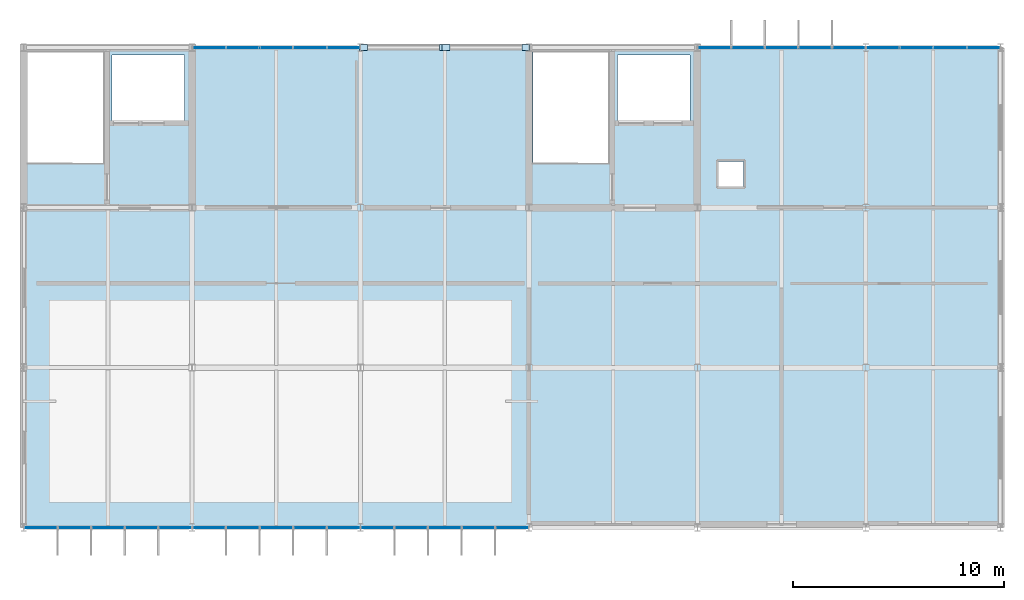
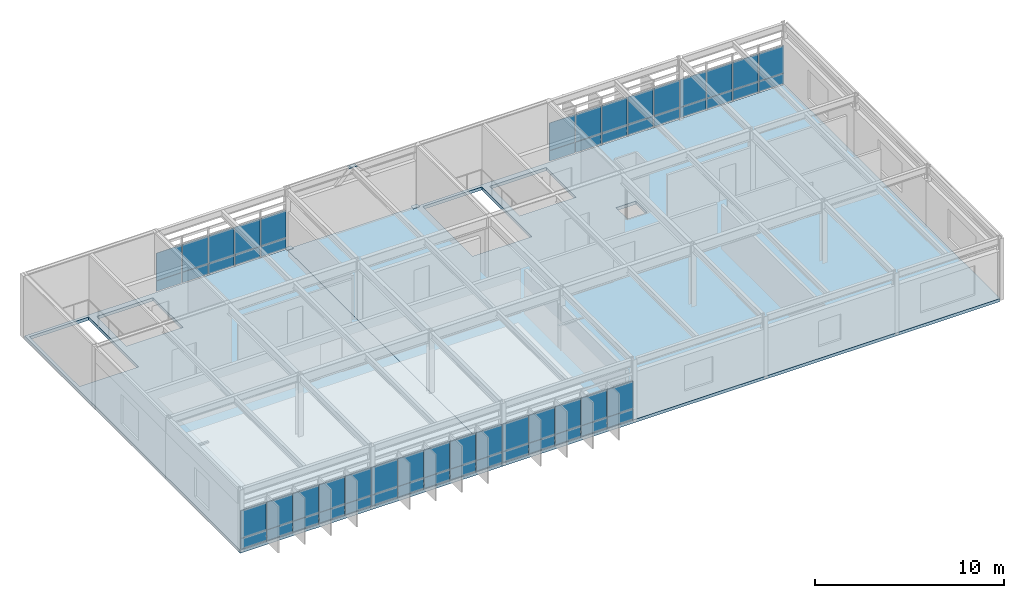
# One storey, part 13 of 17: 62 plates, 2 slabs, 6 elements without a shape of their own.
"""IFC4 building model written with IfcOpenShell, lengths in metres."""

from ifc_helpers import new_model, si_unit, direction, frame, origin, origin_2d, place, context, subcontext, project, spatial, polyline, rectangle, outline, extrude, material, layer, layer_set, type_object, element, aggregate, save


model = new_model("IFC4")

# Units and contexts
model_context = context("Model", 3, precision=1e-05, world=origin(), true_north=direction((0.0, 1.0)))
body_context = subcontext(model_context, "Body", "Model", "MODEL_VIEW")
ifc_project = project(units=[si_unit("LENGTHUNIT", "METRE"), si_unit("AREAUNIT", "SQUARE_METRE"), si_unit("VOLUMEUNIT", "CUBIC_METRE"), si_unit("PLANEANGLEUNIT", "RADIAN"), si_unit("MASSUNIT", "GRAM", prefix="KILO")], contexts=[model_context])

# Site, building, storey
site_placement = place(None, origin())
site = spatial("IfcSite", under=ifc_project, at=site_placement, CompositionType="ELEMENT")
building_placement = place(site_placement, origin())
building = spatial("IfcBuilding", under=site, at=building_placement, Name="Zulena Civic Courthouse", CompositionType="ELEMENT")
storey_placement = place(building_placement, frame((0.0, 0.0, 42.0)))
storey = spatial("IfcBuildingStorey", under=building, at=storey_placement, Name="L09", CompositionType="ELEMENT", Elevation=42.0)

# Curtain wall, plates
ifc_material_1 = material(Name="Double-silver low-E laminated solar-control glass", Category="glass")
curtain_wall_type_1 = type_object("IfcCurtainWallType", Name="CW_7976x3090", PredefinedType="USERDEFINED", material=ifc_material_1)
curtain_wall_1_placement = place(storey_placement, origin())
curtain_wall_1 = element("IfcCurtainWall", 1, at=curtain_wall_1_placement, inside=storey, type_object=curtain_wall_type_1, Name="cw:V2:L09:1:1", ObjectType="UNITISED CURTAIN WALL", PredefinedType="USERDEFINED")
ifc_material_2 = material(Name="Ceramic-fritted insulated spandrel glass", Category="glass")
ifc_layer_1 = layer(ifc_material_2, 0.0458984375)
ifc_layer_set_1 = layer_set([ifc_layer_1], Name="Ceramic-fritted insulated spandrel glass")
plate_type_1 = type_object("IfcPlateType", Name="CWPanel_Spandrel_46", PredefinedType="CURTAIN_PANEL", material=ifc_layer_set_1)
plate_1_placement = place(storey_placement, frame((28.8095703125, 22.800048828125, 0.070068359375), z_axis=(0.0, 0.0, 1.0), x_axis=(1.0, 0.0, 0.0)))
plate_1 = element("IfcPlate", 2, at=plate_1_placement, type_object=plate_type_1, Name="cw:V2:L09:1:1:panS:0", PredefinedType="CURTAIN_PANEL", context=body_context, shape_type="SweptSolid", body=[
    extrude(rectangle(XDim=1.544921875, YDim=0.0458984375, at=origin_2d()), origin(), (0.0, 0.0, 1.0), 0.669921875),
])
plate_2_placement = place(storey_placement, frame((30.40478515625, 22.800048828125, 0.070068359375), z_axis=(0.0, 0.0, 1.0), x_axis=(1.0, 0.0, 0.0)))
plate_2 = element("IfcPlate", 3, at=plate_2_placement, type_object=plate_type_1, Name="cw:V2:L09:1:1:panS:1", PredefinedType="CURTAIN_PANEL", context=body_context, shape_type="SweptSolid", body=[
    extrude(rectangle(XDim=1.544921875, YDim=0.0458984375, at=origin_2d()), origin(), (0.0, 0.0, 1.0), 0.669921875),
])
plate_3_placement = place(storey_placement, frame((32.0, 22.800048828125, 0.070068359375), z_axis=(0.0, 0.0, 1.0), x_axis=(1.0, 0.0, 0.0)))
plate_3 = element("IfcPlate", 4, at=plate_3_placement, type_object=plate_type_1, Name="cw:V2:L09:1:1:panS:2", PredefinedType="CURTAIN_PANEL", context=body_context, shape_type="SweptSolid", body=[
    extrude(rectangle(XDim=1.544921875, YDim=0.0458984375, at=origin_2d()), origin(), (0.0, 0.0, 1.0), 0.669921875),
])
plate_4_placement = place(storey_placement, frame((33.59521484375, 22.800048828125, 0.070068359375), z_axis=(0.0, 0.0, 1.0), x_axis=(1.0, 0.0, 0.0)))
plate_4 = element("IfcPlate", 5, at=plate_4_placement, type_object=plate_type_1, Name="cw:V2:L09:1:1:panS:3", PredefinedType="CURTAIN_PANEL", context=body_context, shape_type="SweptSolid", body=[
    extrude(rectangle(XDim=1.544921875, YDim=0.0458984375, at=origin_2d()), origin(), (0.0, 0.0, 1.0), 0.669921875),
])
plate_5_placement = place(storey_placement, frame((35.1904296875, 22.800048828125, 0.070068359375), z_axis=(0.0, 0.0, 1.0), x_axis=(1.0, 0.0, 0.0)))
plate_5 = element("IfcPlate", 6, at=plate_5_placement, type_object=plate_type_1, Name="cw:V2:L09:1:1:panS:4", PredefinedType="CURTAIN_PANEL", context=body_context, shape_type="SweptSolid", body=[
    extrude(rectangle(XDim=1.544921875, YDim=0.0458984375, at=origin_2d()), origin(), (0.0, 0.0, 1.0), 0.669921875),
])

curtain_wall_2_placement = place(storey_placement, origin())
curtain_wall_2 = element("IfcCurtainWall", 7, at=curtain_wall_2_placement, inside=storey, type_object=curtain_wall_type_1, Name="cw:V2:L09:1:4", ObjectType="UNITISED CURTAIN WALL", PredefinedType="USERDEFINED")
plate_6_placement = place(storey_placement, frame((52.8095703125, 22.800048828125, 0.070068359375), z_axis=(0.0, 0.0, 1.0), x_axis=(1.0, 0.0, 0.0)))
plate_6 = element("IfcPlate", 8, at=plate_6_placement, type_object=plate_type_1, Name="cw:V2:L09:1:4:panS:0", PredefinedType="CURTAIN_PANEL", context=body_context, shape_type="SweptSolid", body=[
    extrude(rectangle(XDim=1.544921875, YDim=0.0458984375, at=origin_2d()), origin(), (0.0, 0.0, 1.0), 0.669921875),
])
plate_7_placement = place(storey_placement, frame((54.40478515625, 22.800048828125, 0.070068359375), z_axis=(0.0, 0.0, 1.0), x_axis=(1.0, 0.0, 0.0)))
plate_7 = element("IfcPlate", 9, at=plate_7_placement, type_object=plate_type_1, Name="cw:V2:L09:1:4:panS:1", PredefinedType="CURTAIN_PANEL", context=body_context, shape_type="SweptSolid", body=[
    extrude(rectangle(XDim=1.544921875, YDim=0.0458984375, at=origin_2d()), origin(), (0.0, 0.0, 1.0), 0.669921875),
])
plate_8_placement = place(storey_placement, frame((56.0, 22.800048828125, 0.070068359375), z_axis=(0.0, 0.0, 1.0), x_axis=(1.0, 0.0, 0.0)))
plate_8 = element("IfcPlate", 10, at=plate_8_placement, type_object=plate_type_1, Name="cw:V2:L09:1:4:panS:2", PredefinedType="CURTAIN_PANEL", context=body_context, shape_type="SweptSolid", body=[
    extrude(rectangle(XDim=1.544921875, YDim=0.0458984375, at=origin_2d()), origin(), (0.0, 0.0, 1.0), 0.669921875),
])
plate_9_placement = place(storey_placement, frame((57.59521484375, 22.800048828125, 0.070068359375), z_axis=(0.0, 0.0, 1.0), x_axis=(1.0, 0.0, 0.0)))
plate_9 = element("IfcPlate", 11, at=plate_9_placement, type_object=plate_type_1, Name="cw:V2:L09:1:4:panS:3", PredefinedType="CURTAIN_PANEL", context=body_context, shape_type="SweptSolid", body=[
    extrude(rectangle(XDim=1.544921875, YDim=0.0458984375, at=origin_2d()), origin(), (0.0, 0.0, 1.0), 0.669921875),
])
plate_10_placement = place(storey_placement, frame((59.1904296875, 22.800048828125, 0.070068359375), z_axis=(0.0, 0.0, 1.0), x_axis=(1.0, 0.0, 0.0)))
plate_10 = element("IfcPlate", 12, at=plate_10_placement, type_object=plate_type_1, Name="cw:V2:L09:1:4:panS:4", PredefinedType="CURTAIN_PANEL", context=body_context, shape_type="SweptSolid", body=[
    extrude(rectangle(XDim=1.544921875, YDim=0.0458984375, at=origin_2d()), origin(), (0.0, 0.0, 1.0), 0.669921875),
])

curtain_wall_type_2 = type_object("IfcCurtainWallType", Name="CW_6376x3090", PredefinedType="USERDEFINED", material=ifc_material_1)
curtain_wall_3_placement = place(storey_placement, origin())
curtain_wall_3 = element("IfcCurtainWall", 13, at=curtain_wall_3_placement, inside=storey, type_object=curtain_wall_type_2, Name="cw:V2:L09:1:5", ObjectType="UNITISED CURTAIN WALL", PredefinedType="USERDEFINED")
plate_11_placement = place(storey_placement, frame((60.80908203125, 22.800048828125, 0.070068359375), z_axis=(0.0, 0.0, 1.0), x_axis=(1.0, 0.0, 0.0)))
plate_11 = element("IfcPlate", 14, at=plate_11_placement, type_object=plate_type_1, Name="cw:V2:L09:1:5:panS:0", PredefinedType="CURTAIN_PANEL", context=body_context, shape_type="SweptSolid", body=[
    extrude(rectangle(XDim=1.5439453125, YDim=0.0458984375, at=origin_2d()), origin(), (0.0, 0.0, 1.0), 0.669921875),
])
plate_12_placement = place(storey_placement, frame((62.403076171875, 22.800048828125, 0.070068359375), z_axis=(0.0, 0.0, 1.0), x_axis=(1.0, 0.0, 0.0)))
plate_12 = element("IfcPlate", 15, at=plate_12_placement, type_object=plate_type_1, Name="cw:V2:L09:1:5:panS:1", PredefinedType="CURTAIN_PANEL", context=body_context, shape_type="SweptSolid", body=[
    extrude(rectangle(XDim=1.5439453125, YDim=0.0458984375, at=origin_2d()), origin(), (0.0, 0.0, 1.0), 0.669921875),
])
plate_13_placement = place(storey_placement, frame((63.9970703125, 22.800048828125, 0.070068359375), z_axis=(0.0, 0.0, 1.0), x_axis=(1.0, 0.0, 0.0)))
plate_13 = element("IfcPlate", 16, at=plate_13_placement, type_object=plate_type_1, Name="cw:V2:L09:1:5:panS:2", PredefinedType="CURTAIN_PANEL", context=body_context, shape_type="SweptSolid", body=[
    extrude(rectangle(XDim=1.5439453125, YDim=0.0458984375, at=origin_2d()), origin(), (0.0, 0.0, 1.0), 0.669921875),
])
plate_14_placement = place(storey_placement, frame((65.591064453125, 22.800048828125, 0.070068359375), z_axis=(0.0, 0.0, 1.0), x_axis=(1.0, 0.0, 0.0)))
plate_14 = element("IfcPlate", 17, at=plate_14_placement, type_object=plate_type_1, Name="cw:V2:L09:1:5:panS:3", PredefinedType="CURTAIN_PANEL", context=body_context, shape_type="SweptSolid", body=[
    extrude(rectangle(XDim=1.5439453125, YDim=0.0458984375, at=origin_2d()), origin(), (0.0, 0.0, 1.0), 0.669921875),
])

curtain_wall_4_placement = place(storey_placement, origin())
curtain_wall_4 = element("IfcCurtainWall", 18, at=curtain_wall_4_placement, inside=storey, type_object=curtain_wall_type_1, Name="cw:V2:L09:3:3", ObjectType="UNITISED CURTAIN WALL", PredefinedType="USERDEFINED")
plate_15_placement = place(storey_placement, frame((43.1904296875, 0.0, 0.070068359375), z_axis=(0.0, 0.0, 1.0), x_axis=(-1.0, 0.0, 0.0)))
plate_15 = element("IfcPlate", 19, at=plate_15_placement, type_object=plate_type_1, Name="cw:V2:L09:3:3:panS:0", PredefinedType="CURTAIN_PANEL", context=body_context, shape_type="SweptSolid", body=[
    extrude(rectangle(XDim=1.544921875, YDim=0.0458984375, at=origin_2d()), origin(), (0.0, 0.0, 1.0), 0.669921875),
])
plate_16_placement = place(storey_placement, frame((41.59521484375, 0.0, 0.070068359375), z_axis=(0.0, 0.0, 1.0), x_axis=(-1.0, 0.0, 0.0)))
plate_16 = element("IfcPlate", 20, at=plate_16_placement, type_object=plate_type_1, Name="cw:V2:L09:3:3:panS:1", PredefinedType="CURTAIN_PANEL", context=body_context, shape_type="SweptSolid", body=[
    extrude(rectangle(XDim=1.544921875, YDim=0.0458984375, at=origin_2d()), origin(), (0.0, 0.0, 1.0), 0.669921875),
])
plate_17_placement = place(storey_placement, frame((40.0, 0.0, 0.070068359375), z_axis=(0.0, 0.0, 1.0), x_axis=(-1.0, 0.0, 0.0)))
plate_17 = element("IfcPlate", 21, at=plate_17_placement, type_object=plate_type_1, Name="cw:V2:L09:3:3:panS:2", PredefinedType="CURTAIN_PANEL", context=body_context, shape_type="SweptSolid", body=[
    extrude(rectangle(XDim=1.544921875, YDim=0.0458984375, at=origin_2d()), origin(), (0.0, 0.0, 1.0), 0.669921875),
])
plate_18_placement = place(storey_placement, frame((38.40478515625, 0.0, 0.070068359375), z_axis=(0.0, 0.0, 1.0), x_axis=(-1.0, 0.0, 0.0)))
plate_18 = element("IfcPlate", 22, at=plate_18_placement, type_object=plate_type_1, Name="cw:V2:L09:3:3:panS:3", PredefinedType="CURTAIN_PANEL", context=body_context, shape_type="SweptSolid", body=[
    extrude(rectangle(XDim=1.544921875, YDim=0.0458984375, at=origin_2d()), origin(), (0.0, 0.0, 1.0), 0.669921875),
])
plate_19_placement = place(storey_placement, frame((36.8095703125, 0.0, 0.070068359375), z_axis=(0.0, 0.0, 1.0), x_axis=(-1.0, 0.0, 0.0)))
plate_19 = element("IfcPlate", 23, at=plate_19_placement, type_object=plate_type_1, Name="cw:V2:L09:3:3:panS:4", PredefinedType="CURTAIN_PANEL", context=body_context, shape_type="SweptSolid", body=[
    extrude(rectangle(XDim=1.544921875, YDim=0.0458984375, at=origin_2d()), origin(), (0.0, 0.0, 1.0), 0.669921875),
])

curtain_wall_5_placement = place(storey_placement, origin())
curtain_wall_5 = element("IfcCurtainWall", 24, at=curtain_wall_5_placement, inside=storey, type_object=curtain_wall_type_1, Name="cw:V2:L09:3:4", ObjectType="UNITISED CURTAIN WALL", PredefinedType="USERDEFINED")
plate_20_placement = place(storey_placement, frame((35.1904296875, 0.0, 0.070068359375), z_axis=(0.0, 0.0, 1.0), x_axis=(-1.0, 0.0, 0.0)))
plate_20 = element("IfcPlate", 25, at=plate_20_placement, type_object=plate_type_1, Name="cw:V2:L09:3:4:panS:0", PredefinedType="CURTAIN_PANEL", context=body_context, shape_type="SweptSolid", body=[
    extrude(rectangle(XDim=1.544921875, YDim=0.0458984375, at=origin_2d()), origin(), (0.0, 0.0, 1.0), 0.669921875),
])
plate_21_placement = place(storey_placement, frame((33.59521484375, 0.0, 0.070068359375), z_axis=(0.0, 0.0, 1.0), x_axis=(-1.0, 0.0, 0.0)))
plate_21 = element("IfcPlate", 26, at=plate_21_placement, type_object=plate_type_1, Name="cw:V2:L09:3:4:panS:1", PredefinedType="CURTAIN_PANEL", context=body_context, shape_type="SweptSolid", body=[
    extrude(rectangle(XDim=1.544921875, YDim=0.0458984375, at=origin_2d()), origin(), (0.0, 0.0, 1.0), 0.669921875),
])
plate_22_placement = place(storey_placement, frame((32.0, 0.0, 0.070068359375), z_axis=(0.0, 0.0, 1.0), x_axis=(-1.0, 0.0, 0.0)))
plate_22 = element("IfcPlate", 27, at=plate_22_placement, type_object=plate_type_1, Name="cw:V2:L09:3:4:panS:2", PredefinedType="CURTAIN_PANEL", context=body_context, shape_type="SweptSolid", body=[
    extrude(rectangle(XDim=1.544921875, YDim=0.0458984375, at=origin_2d()), origin(), (0.0, 0.0, 1.0), 0.669921875),
])
plate_23_placement = place(storey_placement, frame((30.40478515625, 0.0, 0.070068359375), z_axis=(0.0, 0.0, 1.0), x_axis=(-1.0, 0.0, 0.0)))
plate_23 = element("IfcPlate", 28, at=plate_23_placement, type_object=plate_type_1, Name="cw:V2:L09:3:4:panS:3", PredefinedType="CURTAIN_PANEL", context=body_context, shape_type="SweptSolid", body=[
    extrude(rectangle(XDim=1.544921875, YDim=0.0458984375, at=origin_2d()), origin(), (0.0, 0.0, 1.0), 0.669921875),
])
plate_24_placement = place(storey_placement, frame((28.8095703125, 0.0, 0.070068359375), z_axis=(0.0, 0.0, 1.0), x_axis=(-1.0, 0.0, 0.0)))
plate_24 = element("IfcPlate", 29, at=plate_24_placement, type_object=plate_type_1, Name="cw:V2:L09:3:4:panS:4", PredefinedType="CURTAIN_PANEL", context=body_context, shape_type="SweptSolid", body=[
    extrude(rectangle(XDim=1.544921875, YDim=0.0458984375, at=origin_2d()), origin(), (0.0, 0.0, 1.0), 0.669921875),
])

curtain_wall_6_placement = place(storey_placement, origin())
curtain_wall_6 = element("IfcCurtainWall", 30, at=curtain_wall_6_placement, inside=storey, type_object=curtain_wall_type_1, Name="cw:V2:L09:3:5", ObjectType="UNITISED CURTAIN WALL", PredefinedType="USERDEFINED")
plate_25_placement = place(storey_placement, frame((27.1904296875, 0.0, 0.070068359375), z_axis=(0.0, 0.0, 1.0), x_axis=(-1.0, 0.0, 0.0)))
plate_25 = element("IfcPlate", 31, at=plate_25_placement, type_object=plate_type_1, Name="cw:V2:L09:3:5:panS:0", PredefinedType="CURTAIN_PANEL", context=body_context, shape_type="SweptSolid", body=[
    extrude(rectangle(XDim=1.544921875, YDim=0.0458984375, at=origin_2d()), origin(), (0.0, 0.0, 1.0), 0.669921875),
])
plate_26_placement = place(storey_placement, frame((25.59521484375, 0.0, 0.070068359375), z_axis=(0.0, 0.0, 1.0), x_axis=(-1.0, 0.0, 0.0)))
plate_26 = element("IfcPlate", 32, at=plate_26_placement, type_object=plate_type_1, Name="cw:V2:L09:3:5:panS:1", PredefinedType="CURTAIN_PANEL", context=body_context, shape_type="SweptSolid", body=[
    extrude(rectangle(XDim=1.544921875, YDim=0.0458984375, at=origin_2d()), origin(), (0.0, 0.0, 1.0), 0.669921875),
])
plate_27_placement = place(storey_placement, frame((24.0, 0.0, 0.070068359375), z_axis=(0.0, 0.0, 1.0), x_axis=(-1.0, 0.0, 0.0)))
plate_27 = element("IfcPlate", 33, at=plate_27_placement, type_object=plate_type_1, Name="cw:V2:L09:3:5:panS:2", PredefinedType="CURTAIN_PANEL", context=body_context, shape_type="SweptSolid", body=[
    extrude(rectangle(XDim=1.544921875, YDim=0.0458984375, at=origin_2d()), origin(), (0.0, 0.0, 1.0), 0.669921875),
])
plate_28_placement = place(storey_placement, frame((22.40478515625, 0.0, 0.070068359375), z_axis=(0.0, 0.0, 1.0), x_axis=(-1.0, 0.0, 0.0)))
plate_28 = element("IfcPlate", 34, at=plate_28_placement, type_object=plate_type_1, Name="cw:V2:L09:3:5:panS:3", PredefinedType="CURTAIN_PANEL", context=body_context, shape_type="SweptSolid", body=[
    extrude(rectangle(XDim=1.544921875, YDim=0.0458984375, at=origin_2d()), origin(), (0.0, 0.0, 1.0), 0.669921875),
])
plate_29_placement = place(storey_placement, frame((20.8095703125, 0.0, 0.070068359375), z_axis=(0.0, 0.0, 1.0), x_axis=(-1.0, 0.0, 0.0)))
plate_29 = element("IfcPlate", 35, at=plate_29_placement, type_object=plate_type_1, Name="cw:V2:L09:3:5:panS:4", PredefinedType="CURTAIN_PANEL", context=body_context, shape_type="SweptSolid", body=[
    extrude(rectangle(XDim=1.544921875, YDim=0.0458984375, at=origin_2d()), origin(), (0.0, 0.0, 1.0), 0.669921875),
])

# Plate
ifc_layer_2 = layer(ifc_material_1, 0.035888671875)
ifc_layer_set_2 = layer_set([ifc_layer_2], Name="Double-silver low-E laminated solar-control glass")
plate_type_2 = type_object("IfcPlateType", Name="CWPanel_Vision_36", PredefinedType="CURTAIN_PANEL", material=ifc_layer_set_2)
plate_30_placement = place(storey_placement, frame((28.8095703125, 22.800048828125, 0.760009765625), z_axis=(0.0, 0.0, 1.0), x_axis=(1.0, 0.0, 0.0)))
plate_30 = element("IfcPlate", 36, at=plate_30_placement, type_object=plate_type_2, Name="cw:V2:L09:1:1:panV:0", PredefinedType="CURTAIN_PANEL", context=body_context, shape_type="SweptSolid", body=[
    extrude(rectangle(XDim=1.544921875, YDim=0.035888671875, at=origin_2d()), origin(), (0.0, 0.0, 1.0), 1.77001953125),
])

plate_31_placement = place(storey_placement, frame((30.40478515625, 22.800048828125, 0.760009765625), z_axis=(0.0, 0.0, 1.0), x_axis=(1.0, 0.0, 0.0)))
plate_31 = element("IfcPlate", 37, at=plate_31_placement, type_object=plate_type_2, Name="cw:V2:L09:1:1:panV:1", PredefinedType="CURTAIN_PANEL", context=body_context, shape_type="SweptSolid", body=[
    extrude(rectangle(XDim=1.544921875, YDim=0.035888671875, at=origin_2d()), origin(), (0.0, 0.0, 1.0), 1.77001953125),
])

plate_32_placement = place(storey_placement, frame((32.0, 22.800048828125, 0.760009765625), z_axis=(0.0, 0.0, 1.0), x_axis=(1.0, 0.0, 0.0)))
plate_32 = element("IfcPlate", 38, at=plate_32_placement, type_object=plate_type_2, Name="cw:V2:L09:1:1:panV:2", PredefinedType="CURTAIN_PANEL", context=body_context, shape_type="SweptSolid", body=[
    extrude(rectangle(XDim=1.544921875, YDim=0.035888671875, at=origin_2d()), origin(), (0.0, 0.0, 1.0), 1.77001953125),
])

plate_33_placement = place(storey_placement, frame((33.59521484375, 22.800048828125, 0.760009765625), z_axis=(0.0, 0.0, 1.0), x_axis=(1.0, 0.0, 0.0)))
plate_33 = element("IfcPlate", 39, at=plate_33_placement, type_object=plate_type_2, Name="cw:V2:L09:1:1:panV:3", PredefinedType="CURTAIN_PANEL", context=body_context, shape_type="SweptSolid", body=[
    extrude(rectangle(XDim=1.544921875, YDim=0.035888671875, at=origin_2d()), origin(), (0.0, 0.0, 1.0), 1.77001953125),
])

plate_34_placement = place(storey_placement, frame((35.1904296875, 22.800048828125, 0.760009765625), z_axis=(0.0, 0.0, 1.0), x_axis=(1.0, 0.0, 0.0)))
plate_34 = element("IfcPlate", 40, at=plate_34_placement, type_object=plate_type_2, Name="cw:V2:L09:1:1:panV:4", PredefinedType="CURTAIN_PANEL", context=body_context, shape_type="SweptSolid", body=[
    extrude(rectangle(XDim=1.544921875, YDim=0.035888671875, at=origin_2d()), origin(), (0.0, 0.0, 1.0), 1.77001953125),
])

aggregate(curtain_wall_1, [plate_30, plate_1, plate_31, plate_2, plate_32, plate_3, plate_33, plate_4, plate_34, plate_5])

plate_35_placement = place(storey_placement, frame((52.8095703125, 22.800048828125, 0.760009765625), z_axis=(0.0, 0.0, 1.0), x_axis=(1.0, 0.0, 0.0)))
plate_35 = element("IfcPlate", 41, at=plate_35_placement, type_object=plate_type_2, Name="cw:V2:L09:1:4:panV:0", PredefinedType="CURTAIN_PANEL", context=body_context, shape_type="SweptSolid", body=[
    extrude(rectangle(XDim=1.544921875, YDim=0.035888671875, at=origin_2d()), origin(), (0.0, 0.0, 1.0), 1.77001953125),
])

plate_36_placement = place(storey_placement, frame((54.40478515625, 22.800048828125, 0.760009765625), z_axis=(0.0, 0.0, 1.0), x_axis=(1.0, 0.0, 0.0)))
plate_36 = element("IfcPlate", 42, at=plate_36_placement, type_object=plate_type_2, Name="cw:V2:L09:1:4:panV:1", PredefinedType="CURTAIN_PANEL", context=body_context, shape_type="SweptSolid", body=[
    extrude(rectangle(XDim=1.544921875, YDim=0.035888671875, at=origin_2d()), origin(), (0.0, 0.0, 1.0), 1.77001953125),
])

plate_37_placement = place(storey_placement, frame((56.0, 22.800048828125, 0.760009765625), z_axis=(0.0, 0.0, 1.0), x_axis=(1.0, 0.0, 0.0)))
plate_37 = element("IfcPlate", 43, at=plate_37_placement, type_object=plate_type_2, Name="cw:V2:L09:1:4:panV:2", PredefinedType="CURTAIN_PANEL", context=body_context, shape_type="SweptSolid", body=[
    extrude(rectangle(XDim=1.544921875, YDim=0.035888671875, at=origin_2d()), origin(), (0.0, 0.0, 1.0), 1.77001953125),
])

plate_38_placement = place(storey_placement, frame((57.59521484375, 22.800048828125, 0.760009765625), z_axis=(0.0, 0.0, 1.0), x_axis=(1.0, 0.0, 0.0)))
plate_38 = element("IfcPlate", 44, at=plate_38_placement, type_object=plate_type_2, Name="cw:V2:L09:1:4:panV:3", PredefinedType="CURTAIN_PANEL", context=body_context, shape_type="SweptSolid", body=[
    extrude(rectangle(XDim=1.544921875, YDim=0.035888671875, at=origin_2d()), origin(), (0.0, 0.0, 1.0), 1.77001953125),
])

plate_39_placement = place(storey_placement, frame((59.1904296875, 22.800048828125, 0.760009765625), z_axis=(0.0, 0.0, 1.0), x_axis=(1.0, 0.0, 0.0)))
plate_39 = element("IfcPlate", 45, at=plate_39_placement, type_object=plate_type_2, Name="cw:V2:L09:1:4:panV:4", PredefinedType="CURTAIN_PANEL", context=body_context, shape_type="SweptSolid", body=[
    extrude(rectangle(XDim=1.544921875, YDim=0.035888671875, at=origin_2d()), origin(), (0.0, 0.0, 1.0), 1.77001953125),
])

aggregate(curtain_wall_2, [plate_35, plate_6, plate_36, plate_7, plate_37, plate_8, plate_38, plate_9, plate_39, plate_10])

plate_40_placement = place(storey_placement, frame((60.80908203125, 22.800048828125, 0.760009765625), z_axis=(0.0, 0.0, 1.0), x_axis=(1.0, 0.0, 0.0)))
plate_40 = element("IfcPlate", 46, at=plate_40_placement, type_object=plate_type_2, Name="cw:V2:L09:1:5:panV:0", PredefinedType="CURTAIN_PANEL", context=body_context, shape_type="SweptSolid", body=[
    extrude(rectangle(XDim=1.5439453125, YDim=0.035888671875, at=origin_2d()), origin(), (0.0, 0.0, 1.0), 1.77001953125),
])

plate_41_placement = place(storey_placement, frame((62.403076171875, 22.800048828125, 0.760009765625), z_axis=(0.0, 0.0, 1.0), x_axis=(1.0, 0.0, 0.0)))
plate_41 = element("IfcPlate", 47, at=plate_41_placement, type_object=plate_type_2, Name="cw:V2:L09:1:5:panV:1", PredefinedType="CURTAIN_PANEL", context=body_context, shape_type="SweptSolid", body=[
    extrude(rectangle(XDim=1.5439453125, YDim=0.035888671875, at=origin_2d()), origin(), (0.0, 0.0, 1.0), 1.77001953125),
])

plate_42_placement = place(storey_placement, frame((63.9970703125, 22.800048828125, 0.760009765625), z_axis=(0.0, 0.0, 1.0), x_axis=(1.0, 0.0, 0.0)))
plate_42 = element("IfcPlate", 48, at=plate_42_placement, type_object=plate_type_2, Name="cw:V2:L09:1:5:panV:2", PredefinedType="CURTAIN_PANEL", context=body_context, shape_type="SweptSolid", body=[
    extrude(rectangle(XDim=1.5439453125, YDim=0.035888671875, at=origin_2d()), origin(), (0.0, 0.0, 1.0), 1.77001953125),
])

plate_43_placement = place(storey_placement, frame((65.591064453125, 22.800048828125, 0.760009765625), z_axis=(0.0, 0.0, 1.0), x_axis=(1.0, 0.0, 0.0)))
plate_43 = element("IfcPlate", 49, at=plate_43_placement, type_object=plate_type_2, Name="cw:V2:L09:1:5:panV:3", PredefinedType="CURTAIN_PANEL", context=body_context, shape_type="SweptSolid", body=[
    extrude(rectangle(XDim=1.5439453125, YDim=0.035888671875, at=origin_2d()), origin(), (0.0, 0.0, 1.0), 1.77001953125),
])

aggregate(curtain_wall_3, [plate_40, plate_11, plate_41, plate_12, plate_42, plate_13, plate_43, plate_14])

plate_44_placement = place(storey_placement, frame((43.1904296875, 0.0, 0.760009765625), z_axis=(0.0, 0.0, 1.0), x_axis=(-1.0, 0.0, 0.0)))
plate_44 = element("IfcPlate", 50, at=plate_44_placement, type_object=plate_type_2, Name="cw:V2:L09:3:3:panV:0", PredefinedType="CURTAIN_PANEL", context=body_context, shape_type="SweptSolid", body=[
    extrude(rectangle(XDim=1.544921875, YDim=0.035888671875, at=origin_2d()), origin(), (0.0, 0.0, 1.0), 1.77001953125),
])

plate_45_placement = place(storey_placement, frame((41.59521484375, 0.0, 0.760009765625), z_axis=(0.0, 0.0, 1.0), x_axis=(-1.0, 0.0, 0.0)))
plate_45 = element("IfcPlate", 51, at=plate_45_placement, type_object=plate_type_2, Name="cw:V2:L09:3:3:panV:1", PredefinedType="CURTAIN_PANEL", context=body_context, shape_type="SweptSolid", body=[
    extrude(rectangle(XDim=1.544921875, YDim=0.035888671875, at=origin_2d()), origin(), (0.0, 0.0, 1.0), 1.77001953125),
])

plate_46_placement = place(storey_placement, frame((40.0, 0.0, 0.760009765625), z_axis=(0.0, 0.0, 1.0), x_axis=(-1.0, 0.0, 0.0)))
plate_46 = element("IfcPlate", 52, at=plate_46_placement, type_object=plate_type_2, Name="cw:V2:L09:3:3:panV:2", PredefinedType="CURTAIN_PANEL", context=body_context, shape_type="SweptSolid", body=[
    extrude(rectangle(XDim=1.544921875, YDim=0.035888671875, at=origin_2d()), origin(), (0.0, 0.0, 1.0), 1.77001953125),
])

plate_47_placement = place(storey_placement, frame((38.40478515625, 0.0, 0.760009765625), z_axis=(0.0, 0.0, 1.0), x_axis=(-1.0, 0.0, 0.0)))
plate_47 = element("IfcPlate", 53, at=plate_47_placement, type_object=plate_type_2, Name="cw:V2:L09:3:3:panV:3", PredefinedType="CURTAIN_PANEL", context=body_context, shape_type="SweptSolid", body=[
    extrude(rectangle(XDim=1.544921875, YDim=0.035888671875, at=origin_2d()), origin(), (0.0, 0.0, 1.0), 1.77001953125),
])

plate_48_placement = place(storey_placement, frame((36.8095703125, 0.0, 0.760009765625), z_axis=(0.0, 0.0, 1.0), x_axis=(-1.0, 0.0, 0.0)))
plate_48 = element("IfcPlate", 54, at=plate_48_placement, type_object=plate_type_2, Name="cw:V2:L09:3:3:panV:4", PredefinedType="CURTAIN_PANEL", context=body_context, shape_type="SweptSolid", body=[
    extrude(rectangle(XDim=1.544921875, YDim=0.035888671875, at=origin_2d()), origin(), (0.0, 0.0, 1.0), 1.77001953125),
])

aggregate(curtain_wall_4, [plate_44, plate_15, plate_45, plate_16, plate_46, plate_17, plate_47, plate_18, plate_48, plate_19])

plate_49_placement = place(storey_placement, frame((35.1904296875, 0.0, 0.760009765625), z_axis=(0.0, 0.0, 1.0), x_axis=(-1.0, 0.0, 0.0)))
plate_49 = element("IfcPlate", 55, at=plate_49_placement, type_object=plate_type_2, Name="cw:V2:L09:3:4:panV:0", PredefinedType="CURTAIN_PANEL", context=body_context, shape_type="SweptSolid", body=[
    extrude(rectangle(XDim=1.544921875, YDim=0.035888671875, at=origin_2d()), origin(), (0.0, 0.0, 1.0), 1.77001953125),
])

plate_50_placement = place(storey_placement, frame((33.59521484375, 0.0, 0.760009765625), z_axis=(0.0, 0.0, 1.0), x_axis=(-1.0, 0.0, 0.0)))
plate_50 = element("IfcPlate", 56, at=plate_50_placement, type_object=plate_type_2, Name="cw:V2:L09:3:4:panV:1", PredefinedType="CURTAIN_PANEL", context=body_context, shape_type="SweptSolid", body=[
    extrude(rectangle(XDim=1.544921875, YDim=0.035888671875, at=origin_2d()), origin(), (0.0, 0.0, 1.0), 1.77001953125),
])

plate_51_placement = place(storey_placement, frame((32.0, 0.0, 0.760009765625), z_axis=(0.0, 0.0, 1.0), x_axis=(-1.0, 0.0, 0.0)))
plate_51 = element("IfcPlate", 57, at=plate_51_placement, type_object=plate_type_2, Name="cw:V2:L09:3:4:panV:2", PredefinedType="CURTAIN_PANEL", context=body_context, shape_type="SweptSolid", body=[
    extrude(rectangle(XDim=1.544921875, YDim=0.035888671875, at=origin_2d()), origin(), (0.0, 0.0, 1.0), 1.77001953125),
])

plate_52_placement = place(storey_placement, frame((30.40478515625, 0.0, 0.760009765625), z_axis=(0.0, 0.0, 1.0), x_axis=(-1.0, 0.0, 0.0)))
plate_52 = element("IfcPlate", 58, at=plate_52_placement, type_object=plate_type_2, Name="cw:V2:L09:3:4:panV:3", PredefinedType="CURTAIN_PANEL", context=body_context, shape_type="SweptSolid", body=[
    extrude(rectangle(XDim=1.544921875, YDim=0.035888671875, at=origin_2d()), origin(), (0.0, 0.0, 1.0), 1.77001953125),
])

plate_53_placement = place(storey_placement, frame((28.8095703125, 0.0, 0.760009765625), z_axis=(0.0, 0.0, 1.0), x_axis=(-1.0, 0.0, 0.0)))
plate_53 = element("IfcPlate", 59, at=plate_53_placement, type_object=plate_type_2, Name="cw:V2:L09:3:4:panV:4", PredefinedType="CURTAIN_PANEL", context=body_context, shape_type="SweptSolid", body=[
    extrude(rectangle(XDim=1.544921875, YDim=0.035888671875, at=origin_2d()), origin(), (0.0, 0.0, 1.0), 1.77001953125),
])

aggregate(curtain_wall_5, [plate_49, plate_20, plate_50, plate_21, plate_51, plate_22, plate_52, plate_23, plate_53, plate_24])

plate_54_placement = place(storey_placement, frame((27.1904296875, 0.0, 0.760009765625), z_axis=(0.0, 0.0, 1.0), x_axis=(-1.0, 0.0, 0.0)))
plate_54 = element("IfcPlate", 60, at=plate_54_placement, type_object=plate_type_2, Name="cw:V2:L09:3:5:panV:0", PredefinedType="CURTAIN_PANEL", context=body_context, shape_type="SweptSolid", body=[
    extrude(rectangle(XDim=1.544921875, YDim=0.035888671875, at=origin_2d()), origin(), (0.0, 0.0, 1.0), 1.77001953125),
])

plate_55_placement = place(storey_placement, frame((25.59521484375, 0.0, 0.760009765625), z_axis=(0.0, 0.0, 1.0), x_axis=(-1.0, 0.0, 0.0)))
plate_55 = element("IfcPlate", 61, at=plate_55_placement, type_object=plate_type_2, Name="cw:V2:L09:3:5:panV:1", PredefinedType="CURTAIN_PANEL", context=body_context, shape_type="SweptSolid", body=[
    extrude(rectangle(XDim=1.544921875, YDim=0.035888671875, at=origin_2d()), origin(), (0.0, 0.0, 1.0), 1.77001953125),
])

plate_56_placement = place(storey_placement, frame((24.0, 0.0, 0.760009765625), z_axis=(0.0, 0.0, 1.0), x_axis=(-1.0, 0.0, 0.0)))
plate_56 = element("IfcPlate", 62, at=plate_56_placement, type_object=plate_type_2, Name="cw:V2:L09:3:5:panV:2", PredefinedType="CURTAIN_PANEL", context=body_context, shape_type="SweptSolid", body=[
    extrude(rectangle(XDim=1.544921875, YDim=0.035888671875, at=origin_2d()), origin(), (0.0, 0.0, 1.0), 1.77001953125),
])

plate_57_placement = place(storey_placement, frame((22.40478515625, 0.0, 0.760009765625), z_axis=(0.0, 0.0, 1.0), x_axis=(-1.0, 0.0, 0.0)))
plate_57 = element("IfcPlate", 63, at=plate_57_placement, type_object=plate_type_2, Name="cw:V2:L09:3:5:panV:3", PredefinedType="CURTAIN_PANEL", context=body_context, shape_type="SweptSolid", body=[
    extrude(rectangle(XDim=1.544921875, YDim=0.035888671875, at=origin_2d()), origin(), (0.0, 0.0, 1.0), 1.77001953125),
])

plate_58_placement = place(storey_placement, frame((20.8095703125, 0.0, 0.760009765625), z_axis=(0.0, 0.0, 1.0), x_axis=(-1.0, 0.0, 0.0)))
plate_58 = element("IfcPlate", 64, at=plate_58_placement, type_object=plate_type_2, Name="cw:V2:L09:3:5:panV:4", PredefinedType="CURTAIN_PANEL", context=body_context, shape_type="SweptSolid", body=[
    extrude(rectangle(XDim=1.544921875, YDim=0.035888671875, at=origin_2d()), origin(), (0.0, 0.0, 1.0), 1.77001953125),
])

aggregate(curtain_wall_6, [plate_54, plate_25, plate_55, plate_26, plate_56, plate_27, plate_57, plate_28, plate_58, plate_29])

# Slabs
ifc_material_3 = material(Name="Concrete C35/45", Category="concrete")
ifc_layer_3 = layer(ifc_material_3, 0.199951171875)
ifc_layer_set_3 = layer_set([ifc_layer_3], Name="Concrete C35/45")
slab_type = type_object("IfcSlabType", Name="FloorSlab_200", PredefinedType="FLOOR", material=ifc_layer_set_3)
slab_1_placement = place(storey_placement, frame((0.0, 0.0, -0.199951171875)))
element("IfcSlab", 65, at=slab_1_placement, inside=storey, type_object=slab_type, Name="slab:V2:L09_1", PredefinedType="FLOOR", context=body_context, shape_type="SweptSolid", body=[
    extrude(outline(polyline([(36.0, 22.800048828125), (36.0, 0.0), (20.0, 0.0), (20.0, 22.800048828125), (36.0, 22.800048828125)]), holes=[polyline([(23.81005859375, 22.610107421875), (20.18994140625, 22.610107421875), (20.18994140625, 17.320068359375), (23.81005859375, 17.320068359375), (23.81005859375, 22.610107421875)]), polyline([(27.64990234375, 19.300048828125), (27.64990234375, 22.449951171875), (24.199951171875, 22.449951171875), (24.199951171875, 19.300048828125), (27.64990234375, 19.300048828125)])]), origin(), (0.0, 0.0, 1.0), 0.199951171875),
])
slab_2_placement = place(storey_placement, frame((0.0, 0.0, -0.199951171875)))
element("IfcSlab", 66, at=slab_2_placement, inside=storey, type_object=slab_type, Name="slab:V2:L09_2", PredefinedType="FLOOR", context=body_context, shape_type="SweptSolid", body=[
    extrude(outline(polyline([(66.39990234375, 22.800048828125), (66.39990234375, 0.0), (36.0, 0.0), (36.0, 22.800048828125), (66.39990234375, 22.800048828125)]), holes=[polyline([(44.18994140625, 17.320068359375), (47.81005859375, 17.320068359375), (47.81005859375, 22.610107421875), (44.18994140625, 22.610107421875), (44.18994140625, 17.320068359375)]), polyline([(48.199951171875, 22.449951171875), (48.199951171875, 19.300048828125), (51.64990234375, 19.300048828125), (51.64990234375, 22.449951171875), (48.199951171875, 22.449951171875)]), polyline([(54.199951171875, 17.39990234375), (53.0, 17.39990234375), (53.0, 16.199951171875), (54.199951171875, 16.199951171875), (54.199951171875, 17.39990234375)])]), origin(), (0.0, 0.0, 1.0), 0.199951171875),
])

# Plates
ifc_material_4 = material(Name="Steel ASTM A572 Grade 50", Category="steel")
ifc_layer_4 = layer(ifc_material_4, 0.02197265625)
ifc_layer_set_4 = layer_set([ifc_layer_4], Name="Steel ASTM A572 Grade 50")
plate_type_3 = type_object("IfcPlateType", Name="GussetPlate_380x280x22", PredefinedType="SHEET", material=ifc_layer_set_4)
for number, where, z_axis, x_axis, name in (
    (67, (36.14990234375, 22.800048828125, -0.0009765625), (0.0, 0.0, 1.0), (1.0, 0.0, 0.0), "plate:br:V2:L09:1:0:0"),
    (68, (39.949951171875, 22.800048828125, 3.948974609375), (0.0, 0.0, 1.0), (1.0, 0.0, 0.0), "plate:br:V2:L09:1:0:1"),
    (69, (43.85009765625, 22.800048828125, -0.0009765625), (0.0, 0.0, 1.0), (1.0, 0.0, 0.0), "plate:br:V2:L09:1:1:0"),
    (70, (40.050048828125, 22.800048828125, 3.948974609375), (0.0, 0.0, 1.0), (1.0, 0.0, 0.0), "plate:br:V2:L09:1:1:1"),
):
    element("IfcPlate", number, at=place(storey_placement, frame(where, z_axis=z_axis, x_axis=x_axis)), inside=storey, type_object=plate_type_3, Name=name, PredefinedType="SHEET", context=body_context, shape_type="SweptSolid", body=[
        extrude(rectangle(XDim=0.3798828125, YDim=0.280029296875, at=origin_2d()), origin(), (0.0, 0.0, 1.0), 0.02197265625),
    ])

save(model, "model.ifc")
